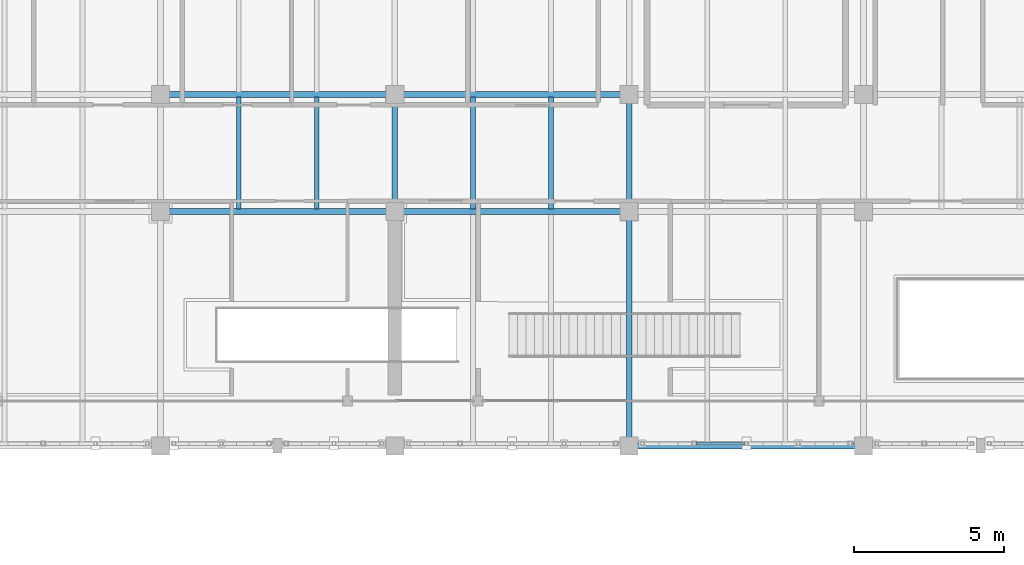
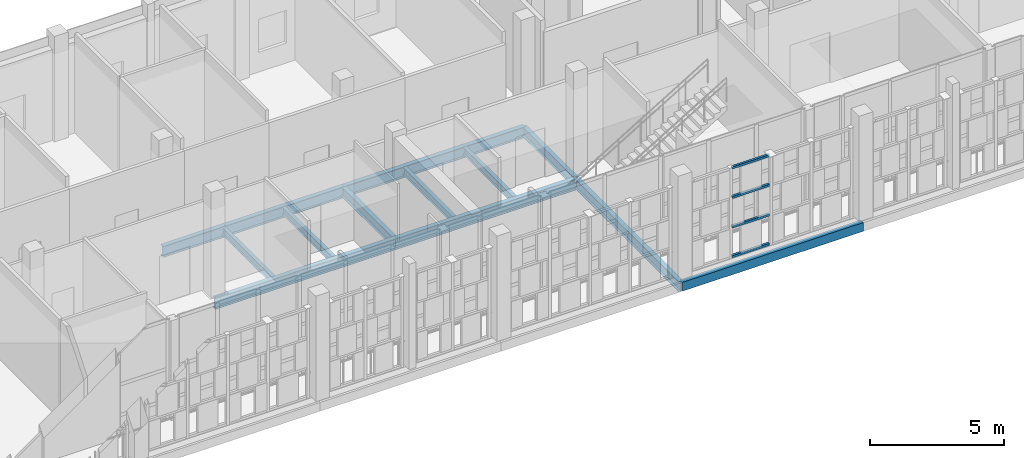
# One storey, part 59 of 138: 12 beams, 4 members.
"""IFC4 building model written with IfcOpenShell, lengths in metres."""

from ifc_helpers import new_model, si_unit, direction, frame, origin, origin_2d, place, context, subcontext, project, spatial, hollow_rectangle, i_section, extrude, material, material_profile, profile_set, type_object, element, save


model = new_model("IFC4")

# Units and contexts
model_context = context("Model", 3, precision=1e-05, world=origin(), true_north=direction((0.0, 1.0)))
body_context = subcontext(model_context, "Body", "Model", "MODEL_VIEW")
ifc_project = project(units=[si_unit("LENGTHUNIT", "METRE"), si_unit("AREAUNIT", "SQUARE_METRE"), si_unit("VOLUMEUNIT", "CUBIC_METRE"), si_unit("PLANEANGLEUNIT", "RADIAN"), si_unit("MASSUNIT", "GRAM", prefix="KILO")], contexts=[model_context])

# Site, building, storey
site_placement = place(None, origin())
site = spatial("IfcSite", under=ifc_project, at=site_placement, CompositionType="ELEMENT")
building_placement = place(site_placement, origin())
building = spatial("IfcBuilding", under=site, at=building_placement, Name="Celorna Specialist Clinic", CompositionType="ELEMENT")
storey_placement = place(building_placement, frame((0.0, 0.0, 4.800048828125)))
storey = spatial("IfcBuildingStorey", under=building, at=storey_placement, Name="L01", CompositionType="ELEMENT", Elevation=4.800048828125)

# Beams
ifc_material = material(Name="Steel S355", Category="steel")
ifc_material_profile_1 = material_profile(ifc_material, i_section(OverallWidth=0.199951171875, OverallDepth=0.5, WebThickness=0.01025390625, FlangeThickness=0.01611328125, at=origin_2d()), Name="IPE 500")
ifc_profile_set_1 = profile_set([ifc_material_profile_1], Name="Steel S355")
beam_type_1 = type_object("IfcBeamType", Name="BM-08", PredefinedType="BEAM", material=ifc_profile_set_1)
beam_1_placement = place(storey_placement, frame((93.60009765625, 104.300048828125, -0.510009765625), z_axis=(1.0, 0.0, 0.0), x_axis=(0.0, 1.0, 0.0)))
element("IfcBeam", 1, at=beam_1_placement, inside=storey, type_object=beam_type_1, Name="Primary girder BM-08 #891", PredefinedType="BEAM", context=body_context, shape_type="SweptSolid", body=[
    extrude(i_section(OverallWidth=0.199951171875, OverallDepth=0.5, WebThickness=0.01025390625, FlangeThickness=0.01611328125, at=origin_2d()), origin(), (0.0, 0.0, 1.0), 7.7998046875),
])
beam_2_placement = place(storey_placement, frame((101.39990234375, 104.300048828125, -0.510009765625), z_axis=(1.0, 0.0, 0.0), x_axis=(0.0, 1.0, 0.0)))
element("IfcBeam", 2, at=beam_2_placement, inside=storey, type_object=beam_type_1, Name="Primary girder BM-08 #892", PredefinedType="BEAM", context=body_context, shape_type="SweptSolid", body=[
    extrude(i_section(OverallWidth=0.199951171875, OverallDepth=0.5, WebThickness=0.01025390625, FlangeThickness=0.01611328125, at=origin_2d()), origin(), (0.0, 0.0, 1.0), 7.800048828125),
])
beam_3_placement = place(storey_placement, frame((93.60009765625, 108.199951171875, -0.510009765625), z_axis=(1.0, 0.0, 0.0), x_axis=(0.0, 1.0, 0.0)))
element("IfcBeam", 3, at=beam_3_placement, inside=storey, type_object=beam_type_1, Name="Primary girder BM-08 #907", PredefinedType="BEAM", context=body_context, shape_type="SweptSolid", body=[
    extrude(i_section(OverallWidth=0.199951171875, OverallDepth=0.5, WebThickness=0.01025390625, FlangeThickness=0.01611328125, at=origin_2d()), origin(), (0.0, 0.0, 1.0), 7.7998046875),
])
beam_4_placement = place(storey_placement, frame((101.39990234375, 108.199951171875, -0.510009765625), z_axis=(1.0, 0.0, 0.0), x_axis=(0.0, 1.0, 0.0)))
element("IfcBeam", 4, at=beam_4_placement, inside=storey, type_object=beam_type_1, Name="Primary girder BM-08 #908", PredefinedType="BEAM", context=body_context, shape_type="SweptSolid", body=[
    extrude(i_section(OverallWidth=0.199951171875, OverallDepth=0.5, WebThickness=0.01025390625, FlangeThickness=0.01611328125, at=origin_2d()), origin(), (0.0, 0.0, 1.0), 7.800048828125),
])
ifc_material_profile_2 = material_profile(ifc_material, i_section(OverallWidth=0.18994140625, OverallDepth=0.449951171875, WebThickness=0.009521484375, FlangeThickness=0.0146484375, at=origin_2d()), Name="IPE 450")
ifc_profile_set_2 = profile_set([ifc_material_profile_2], Name="Steel S355")
beam_type_2 = type_object("IfcBeamType", Name="BM-09", PredefinedType="BEAM", material=ifc_profile_set_2)
beam_5_placement = place(storey_placement, frame((101.39990234375, 104.300048828125, -0.485107421875), z_axis=(0.0, 1.0, 0.0), x_axis=(-1.0, 0.0, 0.0)))
element("IfcBeam", 5, at=beam_5_placement, inside=storey, type_object=beam_type_2, Name="Transverse girder BM-09 #954", PredefinedType="BEAM", context=body_context, shape_type="SweptSolid", body=[
    extrude(i_section(OverallWidth=0.18994140625, OverallDepth=0.449951171875, WebThickness=0.009521484375, FlangeThickness=0.0146484375, at=origin_2d()), origin(), (0.0, 0.0, 1.0), 3.89990234375),
])
beam_6_placement = place(storey_placement, frame((109.199951171875, 96.5, -0.485107421875), z_axis=(0.0, 1.0, 0.0), x_axis=(-1.0, 0.0, 0.0)))
element("IfcBeam", 6, at=beam_6_placement, inside=storey, type_object=beam_type_2, Name="Transverse girder BM-09 #956", PredefinedType="BEAM", context=body_context, shape_type="SweptSolid", body=[
    extrude(i_section(OverallWidth=0.18994140625, OverallDepth=0.449951171875, WebThickness=0.009521484375, FlangeThickness=0.0146484375, at=origin_2d()), origin(), (0.0, 0.0, 1.0), 7.800048828125),
])
beam_7_placement = place(storey_placement, frame((109.199951171875, 104.300048828125, -0.485107421875), z_axis=(0.0, 1.0, 0.0), x_axis=(-1.0, 0.0, 0.0)))
element("IfcBeam", 7, at=beam_7_placement, inside=storey, type_object=beam_type_2, Name="Transverse girder BM-09 #957", PredefinedType="BEAM", context=body_context, shape_type="SweptSolid", body=[
    extrude(i_section(OverallWidth=0.18994140625, OverallDepth=0.449951171875, WebThickness=0.009521484375, FlangeThickness=0.0146484375, at=origin_2d()), origin(), (0.0, 0.0, 1.0), 3.89990234375),
])
ifc_material_profile_3 = material_profile(ifc_material, i_section(OverallWidth=0.159912109375, OverallDepth=0.330078125, WebThickness=0.007568359375, FlangeThickness=0.011474609375, at=origin_2d()), Name="IPE 330")
ifc_profile_set_3 = profile_set([ifc_material_profile_3], Name="Steel S355")
beam_type_3 = type_object("IfcBeamType", Name="BM-12", PredefinedType="JOIST", material=ifc_profile_set_3)
for number, where, z_axis, x_axis, name in (
    (8, (96.199951171875, 104.387939453125, -0.425048828125), (0.0, 1.0, 0.0), (-1.0, 0.0, 0.0), "Secondary floor joist BM-12 #1015"),
    (9, (98.800048828125, 104.387939453125, -0.425048828125), (0.0, 1.0, 0.0), (-1.0, 0.0, 0.0), "Secondary floor joist BM-12 #1016"),
    (10, (104.0, 104.387939453125, -0.425048828125), (0.0, 1.0, 0.0), (-1.0, 0.0, 0.0), "Secondary floor joist BM-12 #1021"),
    (11, (106.60009765625, 104.387939453125, -0.425048828125), (0.0, 1.0, 0.0), (-1.0, 0.0, 0.0), "Secondary floor joist BM-12 #1022"),
):
    element("IfcBeam", number, at=place(storey_placement, frame(where, z_axis=z_axis, x_axis=x_axis)), inside=storey, type_object=beam_type_3, Name=name, PredefinedType="JOIST", context=body_context, shape_type="SweptSolid", body=[
        extrude(i_section(OverallWidth=0.159912109375, OverallDepth=0.330078125, WebThickness=0.007568359375, FlangeThickness=0.011474609375, at=origin_2d()), origin(), (0.0, 0.0, 1.0), 3.72412109375),
    ])
ifc_material_profile_4 = material_profile(ifc_material, hollow_rectangle(XDim=0.199951171875, YDim=0.39990234375, WallThickness=0.011962890625, at=origin_2d()), Name="RHS 200x400x12")
ifc_profile_set_4 = profile_set([ifc_material_profile_4], Name="Steel S355")
beam_type_4 = type_object("IfcBeamType", Name="BM-15", PredefinedType="SPANDREL", material=ifc_profile_set_4)
beam_8_placement = place(storey_placement, frame((109.199951171875, 96.5, -0.4599609375), z_axis=(1.0, 0.0, 0.0), x_axis=(0.0, 1.0, 0.0)))
element("IfcBeam", 12, at=beam_8_placement, inside=storey, type_object=beam_type_4, Name="Spandrel beam BM-15 #877", PredefinedType="SPANDREL", context=body_context, shape_type="SweptSolid", body=[
    extrude(hollow_rectangle(XDim=0.199951171875, YDim=0.39990234375, WallThickness=0.011962890625, at=origin_2d()), origin(), (0.0, 0.0, 1.0), 7.800048828125),
])

# Members
ifc_material_profile_5 = material_profile(ifc_material, hollow_rectangle(XDim=0.10009765625, YDim=0.10009765625, WallThickness=0.006103515625, at=origin_2d()), Name="SHS 100x100x6")
ifc_profile_set_5 = profile_set([ifc_material_profile_5], Name="Steel S355")
member_type = type_object("IfcMemberType", Name="MB-12", PredefinedType="STUD", material=ifc_profile_set_5)
for number, where, z_axis, x_axis, name in (
    (13, (111.429931640625, 96.580078125, 0.050048828125), (1.0, 0.0, 0.0), (0.0, 1.0, 0.0), "Perforated screen rail #866"),
    (14, (111.429931640625, 96.580078125, 1.396728515625), (1.0, 0.0, 0.0), (0.0, 1.0, 0.0), "Perforated screen rail #867"),
    (15, (111.429931640625, 96.580078125, 2.7431640625), (1.0, 0.0, 0.0), (0.0, 1.0, 0.0), "Perforated screen rail #868"),
    (16, (111.429931640625, 96.580078125, 4.08984375), (1.0, 0.0, 0.0), (0.0, 1.0, 0.0), "Perforated screen rail #869"),
):
    element("IfcMember", number, at=place(storey_placement, frame(where, z_axis=z_axis, x_axis=x_axis)), inside=storey, type_object=member_type, Name=name, PredefinedType="STUD", context=body_context, shape_type="SweptSolid", body=[
        extrude(hollow_rectangle(XDim=0.10009765625, YDim=0.10009765625, WallThickness=0.006103515625, at=origin_2d()), origin(), (0.0, 0.0, 1.0), 1.610107421875),
    ])

save(model, "model.ifc")
